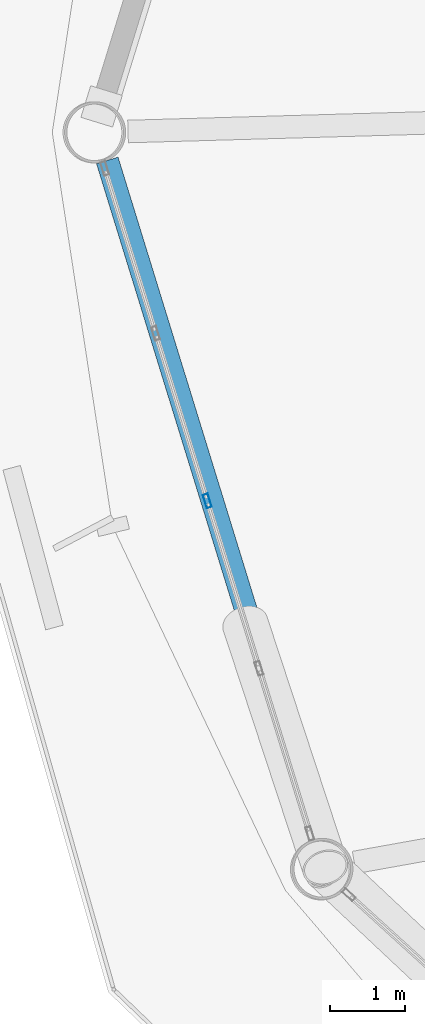
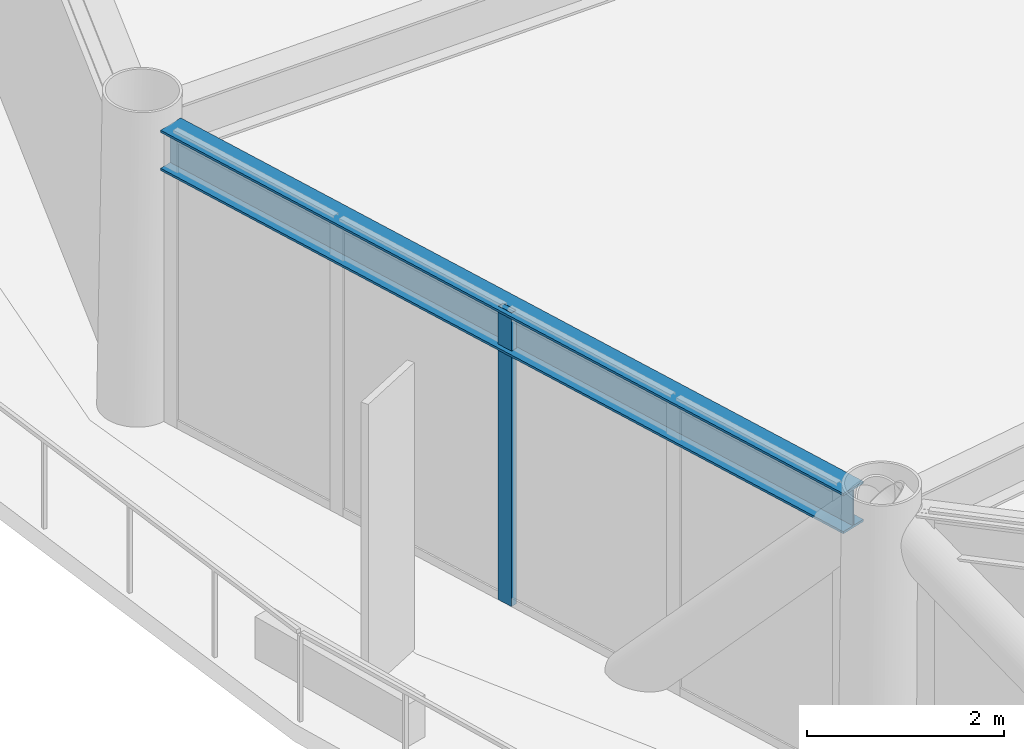
# One storey, part 3 of 26: 1 beam, 1 member, 1 element without a shape of its own.
"""IFC4 building model written with IfcOpenShell, lengths in metres."""

from ifc_helpers import new_model, si_unit, direction, frame, origin, origin_2d, place, context, subcontext, project, spatial, hollow_rectangle, i_section, extrude, material, layer, layer_set, material_profile, profile_set, type_object, element, aggregate, save


model = new_model("IFC4")

# Units and contexts
model_context = context("Model", 3, precision=1e-05, world=origin(), true_north=direction((0.0, 1.0)))
body_context = subcontext(model_context, "Body", "Model", "MODEL_VIEW")
ifc_project = project(units=[si_unit("LENGTHUNIT", "METRE"), si_unit("AREAUNIT", "SQUARE_METRE"), si_unit("VOLUMEUNIT", "CUBIC_METRE"), si_unit("PLANEANGLEUNIT", "RADIAN"), si_unit("MASSUNIT", "GRAM", prefix="KILO")], contexts=[model_context])

# Site, building, storey
site_placement = place(None, origin())
site = spatial("IfcSite", under=ifc_project, at=site_placement, CompositionType="ELEMENT")
building_placement = place(site_placement, origin())
building = spatial("IfcBuilding", under=site, at=building_placement, Name="Varnakorn Sky Granary", CompositionType="ELEMENT")
storey_placement = place(building_placement, frame((0.0, 0.0, 95.39990234375)))
storey = spatial("IfcBuildingStorey", under=building, at=storey_placement, Name="L23", CompositionType="ELEMENT", Elevation=95.39990234375)

# Beam
ifc_material_1 = material(Name="Steel S355JR", Category="steel")
ifc_material_profile_1 = material_profile(ifc_material_1, i_section(OverallWidth=0.300048828125, OverallDepth=0.5, WebThickness=0.014404296875, FlangeThickness=0.028076171875, at=origin_2d()), Name="HE 500 B")
ifc_profile_set_1 = profile_set([ifc_material_profile_1], Name="Steel S355JR")
beam_type = type_object("IfcBeamType", Name="BM-SPD-Z2", PredefinedType="SPANDREL", material=ifc_profile_set_1)
beam_placement = place(storey_placement, frame((-23.03466796875, -0.3740234375, 3.39013671875), z_axis=(0.294664442498, -0.955600788158, 0.0), x_axis=(0.955600788158, 0.294664442498, 0.0)))
element("IfcBeam", 1, at=beam_placement, inside=storey, type_object=beam_type, Name="Perimeter Spandrel Ring Beam RB07 L23", PredefinedType="SPANDREL", context=body_context, shape_type="SweptSolid", body=[
    extrude(i_section(OverallWidth=0.300048828125, OverallDepth=0.5, WebThickness=0.014404296875, FlangeThickness=0.028076171875, at=origin_2d()), origin(), (0.0, 0.0, 1.0), 9.457763671875),
])

# Curtain wall, member
ifc_material_2 = material(Name="Anodised Bronze Aluminium Alloy 6063-T6", Category="aluminium")
ifc_layer = layer(ifc_material_2, 0.18994140625, Name="Anodised Bronze Aluminium Alloy 6063-T6")
ifc_layer_set = layer_set([ifc_layer], Name="Anodised Bronze Aluminium Alloy 6063-T6")
curtain_wall_type = type_object("IfcCurtainWallType", Name="CW-FRM-1", PredefinedType="USERDEFINED", material=ifc_layer_set)
curtain_wall_placement = place(storey_placement, origin())
curtain_wall = element("IfcCurtainWall", 2, at=curtain_wall_placement, inside=storey, type_object=curtain_wall_type, Name="Unitised Curtain Wall CW3 CW-L23-B07", ObjectType="CURTAIN WALL", PredefinedType="USERDEFINED")
ifc_material_profile_2 = material_profile(ifc_material_2, hollow_rectangle(XDim=0.070068359375, YDim=0.18505859375, WallThickness=0.00390625, at=origin_2d()), Name="ALU MULL 70x185")
ifc_profile_set_2 = profile_set([ifc_material_profile_2], Name="Anodised Bronze Aluminium Alloy 6063-T6")
member_type = type_object("IfcMemberType", Name="CW-FRM-1-MULL", PredefinedType="MULLION", material=ifc_profile_set_2)
member_placement = place(storey_placement, frame((-21.703857421875, -4.905029296875, 0.0), z_axis=(0.0, 0.0, 1.0), x_axis=(-0.955559588917, -0.294798019037, 0.0)))
member = element("IfcMember", 3, at=member_placement, type_object=member_type, Name="CW3 mullion 3", PredefinedType="MULLION", context=body_context, shape_type="SweptSolid", body=[
    extrude(hollow_rectangle(XDim=0.070068359375, YDim=0.18505859375, WallThickness=0.00390625, at=origin_2d()), origin(), (0.0, 0.0, 1.0), 3.64013671875),
])
aggregate(curtain_wall, [member])

save(model, "model.ifc")
